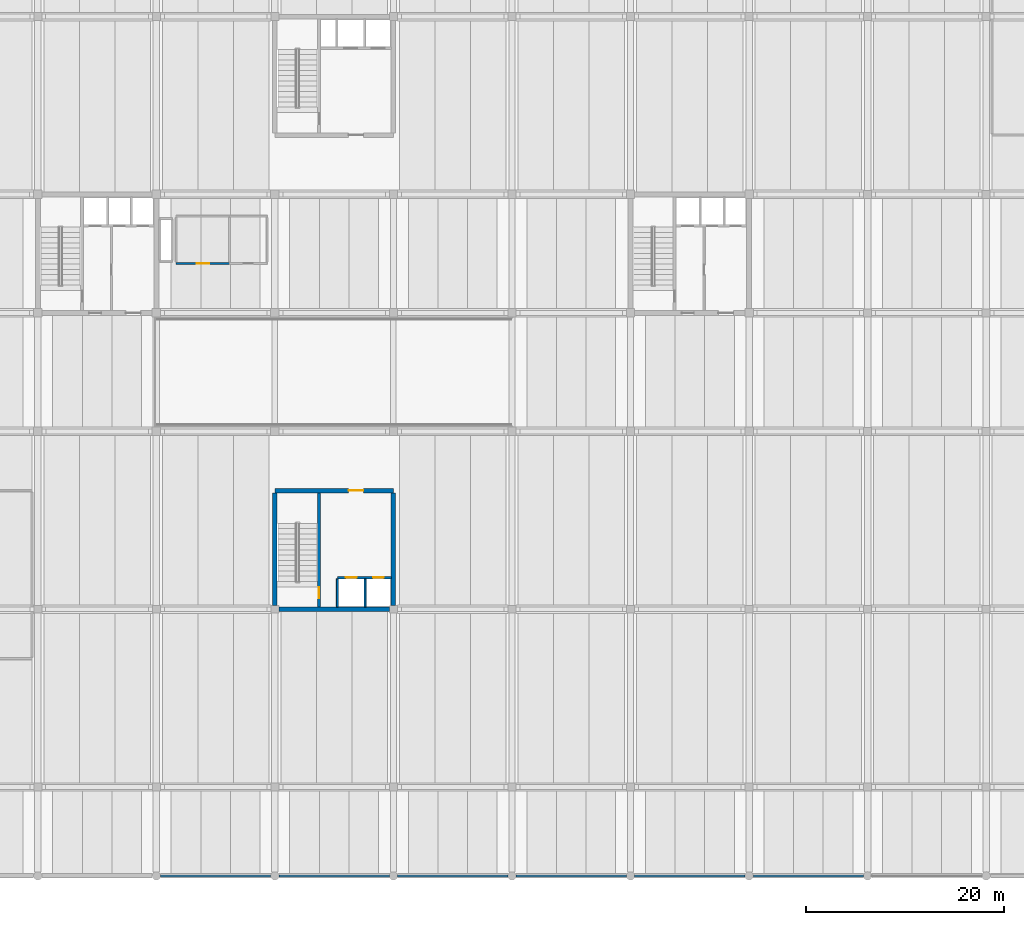
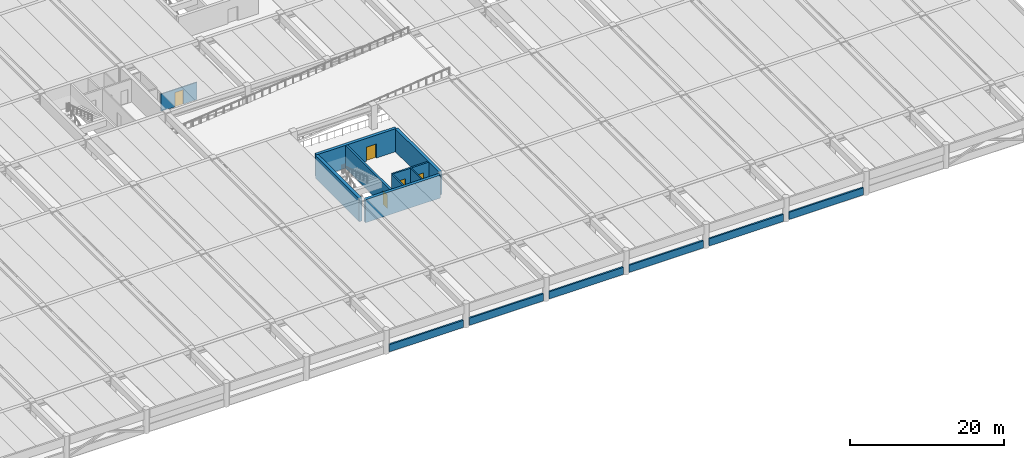
# One storey, part 9 of 21: 15 walls, 5 doors, 5 openings.
"""IFC4 building model written with IfcOpenShell, lengths in metres."""

from ifc_helpers import new_model, si_unit, direction, frame, frame_2d, origin, place, context, subcontext, project, spatial, rectangle, extrude, material, layer, layer_set, type_object, element, fill, save


model = new_model("IFC4")

# Units and contexts
model_context = context("Model", 3, precision=1e-05, world=origin(), true_north=direction((0.0, 1.0)))
body_context = subcontext(model_context, "Body", "Model", "MODEL_VIEW")
ifc_project = project(units=[si_unit("LENGTHUNIT", "METRE"), si_unit("AREAUNIT", "SQUARE_METRE"), si_unit("VOLUMEUNIT", "CUBIC_METRE"), si_unit("PLANEANGLEUNIT", "RADIAN"), si_unit("MASSUNIT", "GRAM", prefix="KILO")], contexts=[model_context])

# Site, building, storey
site_placement = place(None, origin())
site = spatial("IfcSite", under=ifc_project, at=site_placement, CompositionType="ELEMENT")
building_placement = place(site_placement, origin())
building = spatial("IfcBuilding", under=site, at=building_placement, Name="Girod Span Mobility Hub", CompositionType="ELEMENT")
storey_placement = place(building_placement, frame((0.0, 0.0, 17.199951171875)))
storey = spatial("IfcBuildingStorey", under=building, at=storey_placement, Name="L04", CompositionType="ELEMENT", Elevation=17.199951171875)

# Wall
ifc_material_1 = material(Name="Concrete C40/50", Category="concrete")
ifc_layer_1 = layer(ifc_material_1, 0.449951171875)
ifc_layer_set_1 = layer_set([ifc_layer_1], Name="Concrete C40/50")
wall_type_1 = type_object("IfcWallType", Name="W-CW-450", PredefinedType="SHEAR", material=ifc_layer_set_1)
wall_1_placement = place(storey_placement, frame((72.39697265625, 27.0, 0.0), z_axis=(0.0, 0.0, 1.0), x_axis=(1.0, 0.0, 0.0)))
element("IfcWall", 1, at=wall_1_placement, inside=storey, type_object=wall_type_1, Name="Core C3 Shear Wall S L04", PredefinedType="SHEAR", context=body_context, shape_type="SweptSolid", body=[
    extrude(rectangle(XDim=11.2060546875, YDim=0.449951171875, at=frame_2d((5.60302734375, 0.0))), origin(), (0.0, 0.0, 1.0), 3.64306640625),
])

# Wall, opening, door
wall_2_placement = place(storey_placement, frame((72.0, 39.0, 0.0), z_axis=(0.0, 0.0, 1.0), x_axis=(1.0, 0.0, 0.0)))
wall_2 = element("IfcWall", 2, at=wall_2_placement, inside=storey, type_object=wall_type_1, Name="Core C3 Shear Wall N L04", PredefinedType="SHEAR", context=body_context, shape_type="SweptSolid", body=[
    extrude(rectangle(XDim=12.0, YDim=0.449951171875, at=frame_2d((6.0, 0.0))), origin(), (0.0, 0.0, 1.0), 3.64306640625),
])
opening_1_placement = place(wall_2_placement, frame((7.449951171875, 0.0, 0.0)))
opening_1 = element("IfcOpeningElement", 3, at=opening_1_placement, cuts=wall_2, Name="Opening D-LB-C3-L04", PredefinedType="OPENING", context=body_context, shape_type="SweptSolid", body=[
    extrude(rectangle(XDim=1.5, YDim=2.25, at=frame_2d((0.75, 1.125))), frame((0.0, 0.239990234375, 0.0), z_axis=(0.0, -1.0, 0.0), x_axis=(1.0, 0.0, 0.0)), (0.0, 0.0, 1.0), 0.47998046875),
])
ifc_material_2 = material(Name="Fire-Rated Insulated Hollow Metal Steel", Category="steel")
door_type_1 = type_object("IfcDoorType", Name="DT-FD-03", OperationType="DOUBLE_DOOR_SINGLE_SWING", PredefinedType="DOOR", material=ifc_material_2)
door_1_placement = place(opening_1_placement, origin())
door_1 = element("IfcDoor", 4, at=door_1_placement, inside=storey, type_object=door_type_1, Name="Core C3 Lobby Door L04", OperationType="DOUBLE_DOOR_SINGLE_SWING", OverallHeight=2.25, OverallWidth=1.5, PredefinedType="DOOR", context=body_context, shape_type="SweptSolid", body=[
    extrude(rectangle(XDim=1.5, YDim=2.25, at=frame_2d((0.75, 1.125))), frame((0.0, 0.02490234375, 0.0), z_axis=(0.0, -1.0, 0.0), x_axis=(1.0, 0.0, 0.0)), (0.0, 0.0, 1.0), 0.050048828125),
])
fill(opening_1, door_1)

# Walls
for number, where, z_axis, x_axis, name in (
    (5, (72.0, 27.39697265625, 0.0), (0.0, 0.0, 1.0), (0.0, 1.0, 0.0), "Core C3 Shear Wall W L04"),
    (6, (84.0, 27.39697265625, 0.0), (0.0, 0.0, 1.0), (0.0, 1.0, 0.0), "Core C3 Shear Wall E L04"),
):
    element("IfcWall", number, at=place(storey_placement, frame(where, z_axis=z_axis, x_axis=x_axis)), inside=storey, type_object=wall_type_1, Name=name, PredefinedType="SHEAR", context=body_context, shape_type="SweptSolid", body=[
        extrude(rectangle(XDim=11.381103515625, YDim=0.449951171875, at=frame_2d((5.6904296875, 0.0))), origin(), (0.0, 0.0, 1.0), 3.64306640625),
    ])
ifc_material_3 = material(Name="Precast Architectural Concrete C40/50", Category="concrete")
ifc_layer_2 = layer(ifc_material_3, 0.239990234375)
ifc_layer_set_2 = layer_set([ifc_layer_2], Name="Precast Architectural Concrete C40/50")
wall_type_2 = type_object("IfcWallType", Name="W-PAR-240", PredefinedType="PARAPET", material=ifc_layer_set_2)
for number, where, z_axis, x_axis, name in (
    (7, (60.423095703125, 0.0, 0.0), (0.0, 0.0, 1.0), (1.0, 0.0, 0.0), "Precast Parking Barrier Parapet S-6 L04"),
    (8, (72.423095703125, 0.0, 0.0), (0.0, 0.0, 1.0), (1.0, 0.0, 0.0), "Precast Parking Barrier Parapet S-7 L04"),
    (9, (84.423095703125, 0.0, 0.0), (0.0, 0.0, 1.0), (1.0, 0.0, 0.0), "Precast Parking Barrier Parapet S-8 L04"),
    (10, (96.423095703125, 0.0, 0.0), (0.0, 0.0, 1.0), (1.0, 0.0, 0.0), "Precast Parking Barrier Parapet S-9 L04"),
    (11, (108.423095703125, 0.0, 0.0), (0.0, 0.0, 1.0), (1.0, 0.0, 0.0), "Precast Parking Barrier Parapet S-10 L04"),
    (12, (120.423095703125, 0.0, 0.0), (0.0, 0.0, 1.0), (1.0, 0.0, 0.0), "Precast Parking Barrier Parapet S-11 L04"),
):
    element("IfcWall", number, at=place(storey_placement, frame(where, z_axis=z_axis, x_axis=x_axis)), inside=storey, type_object=wall_type_2, Name=name, PredefinedType="PARAPET", context=body_context, shape_type="SweptSolid", body=[
        extrude(rectangle(XDim=11.15380859375, YDim=0.239990234375, at=frame_2d((5.576904296875, 0.0))), origin(), (0.0, 0.0, 1.0), 1.150146484375),
    ])

# Wall, opening, door
ifc_material_4 = material(Name="Fire-Rated Gypsum Board on Metal Studs", Category="gypsum")
ifc_layer_3 = layer(ifc_material_4, 0.155029296875)
ifc_layer_set_3 = layer_set([ifc_layer_3], Name="Fire-Rated Gypsum Board on Metal Studs")
wall_type_3 = type_object("IfcWallType", Name="W-PLB-155", PredefinedType="PLUMBINGWALL", material=ifc_layer_set_3)
wall_3_placement = place(storey_placement, frame((62.0, 62.0, 0.0), z_axis=(0.0, 0.0, 1.0), x_axis=(1.0, 0.0, 0.0)))
wall_3 = element("IfcWall", 13, at=wall_3_placement, inside=storey, type_object=wall_type_3, Name="Restroom L04 Partition S", PredefinedType="PLUMBINGWALL", context=body_context, shape_type="SweptSolid", body=[
    extrude(rectangle(XDim=5.39990234375, YDim=0.155029296875, at=frame_2d((2.699951171875, 0.0))), origin(), (0.0, 0.0, 1.0), 2.75),
])
opening_2_placement = place(wall_3_placement, frame((2.06494140625, 0.0, 0.0)))
opening_2 = element("IfcOpeningElement", 14, at=opening_2_placement, cuts=wall_3, Name="Opening D-L04-WC-MAIN", PredefinedType="OPENING", context=body_context, shape_type="SweptSolid", body=[
    extrude(rectangle(XDim=1.27001953125, YDim=2.27001953125, at=frame_2d((0.635009765625, 1.135009765625))), frame((0.0, 0.092529296875, 0.0), z_axis=(0.0, -1.0, 0.0), x_axis=(1.0, 0.0, 0.0)), (0.0, 0.0, 1.0), 0.18505859375),
])
ifc_material_5 = material(Name="Solid-Core Architectural Timber", Category="wood")
door_type_2 = type_object("IfcDoorType", Name="DT-NR-09", OperationType="NOTDEFINED", PredefinedType="DOOR", material=ifc_material_5)
door_2_placement = place(opening_2_placement, origin())
door_2 = element("IfcDoor", 15, at=door_2_placement, inside=storey, type_object=door_type_2, Name="Restroom L04 Door", OperationType="SINGLE_SWING_LEFT", OverallHeight=2.27001953125, OverallWidth=1.27001953125, PredefinedType="DOOR", context=body_context, shape_type="SweptSolid", body=[
    extrude(rectangle(XDim=1.27001953125, YDim=2.27001953125, at=frame_2d((0.635009765625, 1.135009765625))), frame((0.0, 0.02490234375, 0.0), z_axis=(0.0, -1.0, 0.0), x_axis=(1.0, 0.0, 0.0)), (0.0, 0.0, 1.0), 0.050048828125),
])
fill(opening_2, door_2)

# Walls
ifc_material_6 = material(Name="Concrete C40/50", Category="concrete")
ifc_layer_4 = layer(ifc_material_6, 0.199951171875)
ifc_layer_set_4 = layer_set([ifc_layer_4], Name="Concrete C40/50")
wall_type_4 = type_object("IfcWallType", Name="W-SH-200", PredefinedType="SOLIDWALL", material=ifc_layer_set_4)
for number, where, z_axis, x_axis, name in (
    (16, (78.320068359375, 27.22509765625, 0.0), (0.0, 0.0, 1.0), (0.0, 1.0, 0.0), "Core C3 Shaft Divider 1 L04"),
    (17, (81.1201171875, 27.22509765625, 0.0), (0.0, 0.0, 1.0), (0.0, 1.0, 0.0), "Core C3 Shaft Divider 2 L04"),
):
    element("IfcWall", number, at=place(storey_placement, frame(where, z_axis=z_axis, x_axis=x_axis)), inside=storey, type_object=wall_type_4, Name=name, PredefinedType="SOLIDWALL", context=body_context, shape_type="SweptSolid", body=[
        extrude(rectangle(XDim=2.85498046875, YDim=0.199951171875, at=frame_2d((1.427490234375, 0.0))), origin(), (0.0, 0.0, 1.0), 3.633056640625),
    ])

# Wall, openings, doors
ifc_material_7 = material(Name="Concrete C40/50", Category="concrete")
ifc_layer_5 = layer(ifc_material_7, 0.25)
ifc_layer_set_5 = layer_set([ifc_layer_5], Name="Concrete C40/50")
wall_type_5 = type_object("IfcWallType", Name="W-SH-250", PredefinedType="SOLIDWALL", material=ifc_layer_set_5)
wall_4_placement = place(storey_placement, frame((78.320068359375, 30.199951171875, 0.0), z_axis=(0.0, 0.0, 1.0), x_axis=(1.0, 0.0, 0.0)))
wall_4 = element("IfcWall", 18, at=wall_4_placement, inside=storey, type_object=wall_type_5, Name="Core C3 Hoistway Front Wall L04", PredefinedType="SOLIDWALL", context=body_context, shape_type="SweptSolid", body=[
    extrude(rectangle(XDim=5.4580078125, YDim=0.25, at=frame_2d((2.72900390625, 0.0))), origin(), (0.0, 0.0, 1.0), 3.64306640625),
])
opening_3_placement = place(wall_4_placement, frame((0.860107421875, 0.0, 0.0)))
opening_3 = element("IfcOpeningElement", 19, at=opening_3_placement, cuts=wall_4, Name="Opening LD-LP-5-L04", PredefinedType="OPENING", context=body_context, shape_type="SweptSolid", body=[
    extrude(rectangle(XDim=1.080078125, YDim=2.219970703125, at=frame_2d((0.5400390625, 1.10986328125))), frame((0.0, 0.139892578125, 0.0), z_axis=(0.0, -1.0, 0.0), x_axis=(1.0, 0.0, 0.0)), (0.0, 0.0, 1.0), 0.280029296875),
])
opening_4_placement = place(wall_4_placement, frame((3.610107421875, 0.0, 0.0)))
opening_4 = element("IfcOpeningElement", 20, at=opening_4_placement, cuts=wall_4, Name="Opening LD-LP-6-L04", PredefinedType="OPENING", context=body_context, shape_type="SweptSolid", body=[
    extrude(rectangle(XDim=1.080078125, YDim=2.219970703125, at=frame_2d((0.5400390625, 1.10986328125))), frame((0.0, 0.139892578125, 0.0), z_axis=(0.0, -1.0, 0.0), x_axis=(1.0, 0.0, 0.0)), (0.0, 0.0, 1.0), 0.280029296875),
])
ifc_material_8 = material(Name="Brushed Stainless Steel Grade 304", Category="steel")
door_type_3 = type_object("IfcDoorType", Name="LD-LP-108", OperationType="SLIDING_TO_LEFT", PredefinedType="USERDEFINED", material=ifc_material_8)
door_3_placement = place(opening_3_placement, origin())
door_3 = element("IfcDoor", 21, at=door_3_placement, inside=storey, type_object=door_type_3, Name="Lift LP-5 Sliding Landing Door L04", ObjectType="LANDING DOOR", OperationType="SLIDING_TO_LEFT", OverallHeight=2.219970703125, OverallWidth=1.080078125, PredefinedType="USERDEFINED", context=body_context, shape_type="SweptSolid", body=[
    extrude(rectangle(XDim=1.080078125, YDim=2.219970703125, at=frame_2d((0.5400390625, 1.10986328125))), frame((0.0, 0.02490234375, 0.0), z_axis=(0.0, -1.0, 0.0), x_axis=(1.0, 0.0, 0.0)), (0.0, 0.0, 1.0), 0.050048828125),
])
fill(opening_3, door_3)
door_4_placement = place(opening_4_placement, origin())
door_4 = element("IfcDoor", 22, at=door_4_placement, inside=storey, type_object=door_type_3, Name="Lift LP-6 Sliding Landing Door L04", ObjectType="LANDING DOOR", OperationType="SLIDING_TO_LEFT", OverallHeight=2.219970703125, OverallWidth=1.080078125, PredefinedType="USERDEFINED", context=body_context, shape_type="SweptSolid", body=[
    extrude(rectangle(XDim=1.080078125, YDim=2.219970703125, at=frame_2d((0.5400390625, 1.10986328125))), frame((0.0, 0.02490234375, 0.0), z_axis=(0.0, -1.0, 0.0), x_axis=(1.0, 0.0, 0.0)), (0.0, 0.0, 1.0), 0.050048828125),
])
fill(opening_4, door_4)

# Wall, opening, door
ifc_material_9 = material(Name="Concrete C40/50", Category="concrete")
ifc_layer_6 = layer(ifc_material_9, 0.300048828125)
ifc_layer_set_6 = layer_set([ifc_layer_6], Name="Concrete C40/50")
wall_type_6 = type_object("IfcWallType", Name="W-SH-300", PredefinedType="SHEAR", material=ifc_layer_set_6)
wall_5_placement = place(storey_placement, frame((76.449951171875, 27.221923828125, 0.0), z_axis=(0.0, 0.0, 1.0), x_axis=(0.0, 1.0, 0.0)))
wall_5 = element("IfcWall", 23, at=wall_5_placement, inside=storey, type_object=wall_type_6, Name="Core C3 Stairwell Spine Wall L04", PredefinedType="SHEAR", context=body_context, shape_type="SweptSolid", body=[
    extrude(rectangle(XDim=11.55615234375, YDim=0.300048828125, at=frame_2d((5.778076171875, 0.0))), origin(), (0.0, 0.0, 1.0), 3.64306640625),
])
opening_5_placement = place(wall_5_placement, frame((0.89990234375, 0.0, 0.0)))
opening_5 = element("IfcOpeningElement", 24, at=opening_5_placement, cuts=wall_5, Name="Opening D-ST-3-L04", PredefinedType="OPENING", context=body_context, shape_type="SweptSolid", body=[
    extrude(rectangle(XDim=1.10009765625, YDim=2.199951171875, at=frame_2d((0.550048828125, 1.10009765625))), frame((0.0, 0.1650390625, 0.0), z_axis=(0.0, -1.0, 0.0), x_axis=(1.0, 0.0, 0.0)), (0.0, 0.0, 1.0), 0.330078125),
])
ifc_material_10 = material(Name="Fire-Rated Insulated Hollow Metal Steel", Category="steel")
door_type_4 = type_object("IfcDoorType", Name="DT-FD-01", OperationType="NOTDEFINED", PredefinedType="DOOR", material=ifc_material_10)
door_5_placement = place(opening_5_placement, origin())
door_5 = element("IfcDoor", 25, at=door_5_placement, inside=storey, type_object=door_type_4, Name="Stair ST-3 Fire Door L04", OperationType="SINGLE_SWING_LEFT", OverallHeight=2.199951171875, OverallWidth=1.10009765625, PredefinedType="DOOR", context=body_context, shape_type="SweptSolid", body=[
    extrude(rectangle(XDim=1.10009765625, YDim=2.199951171875, at=frame_2d((0.550048828125, 1.10009765625))), frame((0.0, 0.02490234375, 0.0), z_axis=(0.0, -1.0, 0.0), x_axis=(1.0, 0.0, 0.0)), (0.0, 0.0, 1.0), 0.050048828125),
])
fill(opening_5, door_5)

save(model, "model.ifc")
